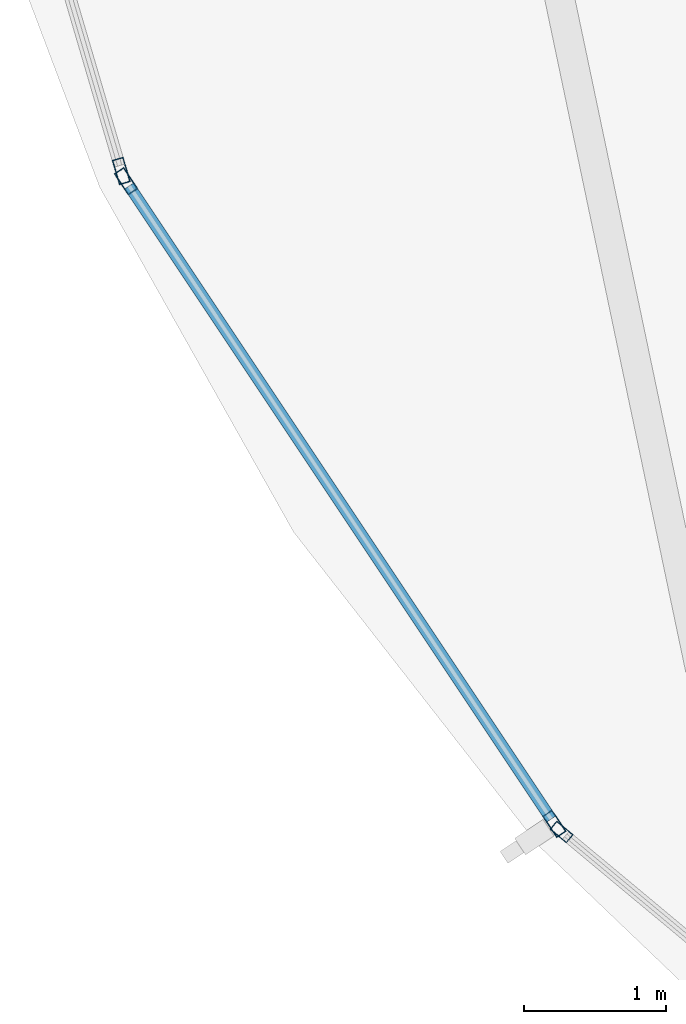
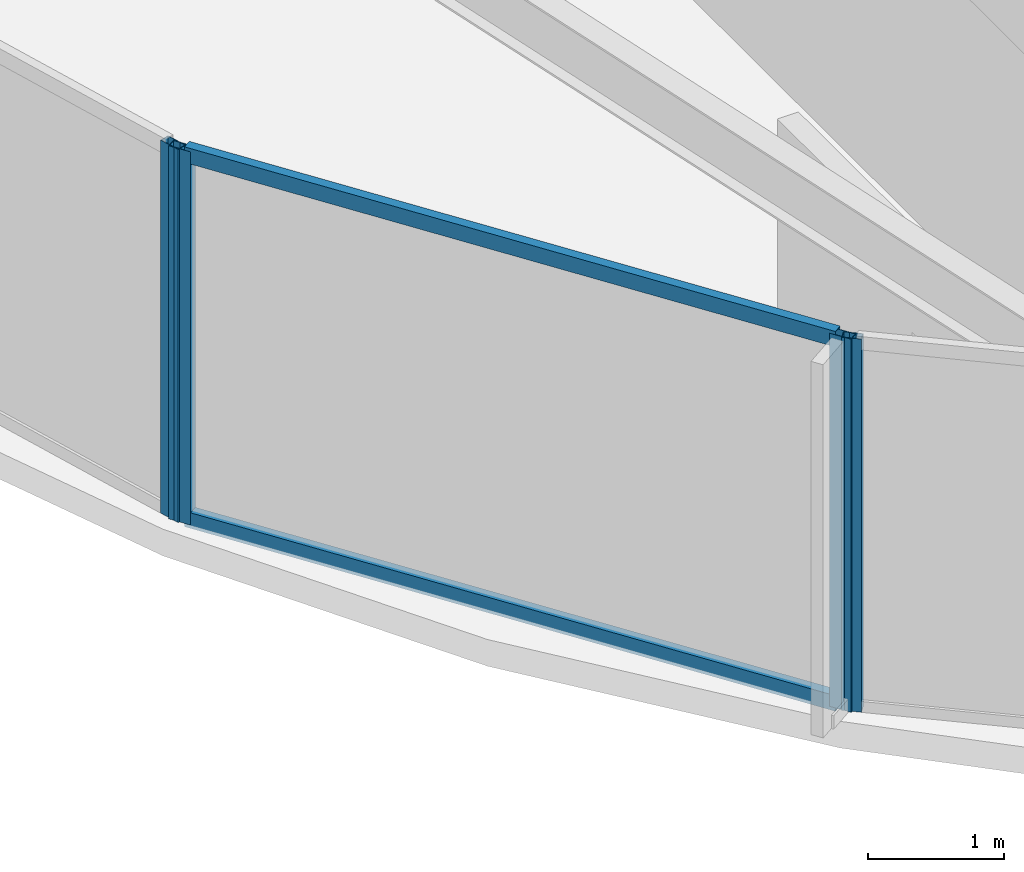
# One storey, part 3 of 31: 6 members, 3 elements without a shape of their own.
"""IFC4 building model written with IfcOpenShell, lengths in metres."""

from ifc_helpers import new_model, si_unit, direction, frame, origin, origin_2d, place, context, subcontext, project, spatial, hollow_rectangle, extrude, material, layer, layer_set, material_profile, profile_set, type_object, element, aggregate, save


model = new_model("IFC4")

# Units and contexts
model_context = context("Model", 3, precision=1e-05, world=origin(), true_north=direction((0.0, 1.0)))
body_context = subcontext(model_context, "Body", "Model", "MODEL_VIEW")
ifc_project = project(units=[si_unit("LENGTHUNIT", "METRE"), si_unit("AREAUNIT", "SQUARE_METRE"), si_unit("VOLUMEUNIT", "CUBIC_METRE"), si_unit("PLANEANGLEUNIT", "RADIAN"), si_unit("MASSUNIT", "GRAM", prefix="KILO")], contexts=[model_context])

# Site, building, storey
site_placement = place(None, origin())
site = spatial("IfcSite", under=ifc_project, at=site_placement, CompositionType="ELEMENT")
building_placement = place(site_placement, origin())
building = spatial("IfcBuilding", under=site, at=building_placement, Name="Kazevale Care Tower and Concert Hall", CompositionType="ELEMENT")
storey_placement = place(building_placement, frame((0.0, 0.0, 238.800048828125)))
storey = spatial("IfcBuildingStorey", under=building, at=storey_placement, Name="L63", CompositionType="ELEMENT", Elevation=238.800048828125)

# Curtain wall, members
ifc_material_1 = material(Name="Aluminium 6063-T6 and Low-E Glass", Category="aluminium")
ifc_layer_1 = layer(ifc_material_1, 0.179931640625)
ifc_layer_set_1 = layer_set([ifc_layer_1], Name="Aluminium 6063-T6 and Low-E Glass")
curtain_wall_type_1 = type_object("IfcCurtainWallType", Name="Waist & Upper Residential Curtain Wall CW-4", PredefinedType="NOTDEFINED", material=ifc_layer_set_1)
curtain_wall_1_placement = place(storey_placement, origin())
curtain_wall_1 = element("IfcCurtainWall", 1, at=curtain_wall_1_placement, inside=storey, type_object=curtain_wall_type_1, Name="cw:L63:f11", PredefinedType="NOTDEFINED")
ifc_material_2 = material(Name="Aluminium 6063-T6", Category="aluminium")
ifc_material_profile_1 = material_profile(ifc_material_2, hollow_rectangle(XDim=0.080078125, YDim=0.179931640625, WallThickness=0.0048828125, at=origin_2d()), Name="ALU80x180x5")
ifc_profile_set_1 = profile_set([ifc_material_profile_1], Name="Aluminium 6063-T6")
member_type_1 = type_object("IfcMemberType", Name="CW-4 Mullion ALU80x180x5", PredefinedType="MULLION", material=ifc_profile_set_1)
member_1_placement = place(storey_placement, frame((18.185791015625, 25.26318359375, 0.0), z_axis=(0.0, 0.0, 1.0), x_axis=(-0.832106058512, -0.554616540853, 0.0)))
member_1 = element("IfcMember", 2, at=member_1_placement, type_object=member_type_1, Name="CW-4 mullion 1", PredefinedType="MULLION", context=body_context, shape_type="SweptSolid", body=[
    extrude(hollow_rectangle(XDim=0.080078125, YDim=0.179931640625, WallThickness=0.0048828125, at=origin_2d()), origin(), (0.0, 0.0, 1.0), 3.35986328125),
])
member_2_placement = place(storey_placement, frame((15.170166015625, 29.78759765625, 0.0), z_axis=(0.0, 0.0, 1.0), x_axis=(-0.832106058512, -0.554616540853, 0.0)))
member_2 = element("IfcMember", 3, at=member_2_placement, type_object=member_type_1, Name="CW-4 mullion 2", PredefinedType="MULLION", context=body_context, shape_type="SweptSolid", body=[
    extrude(hollow_rectangle(XDim=0.080078125, YDim=0.179931640625, WallThickness=0.0048828125, at=origin_2d()), origin(), (0.0, 0.0, 1.0), 3.35986328125),
])

# Curtain wall, member
curtain_wall_2_placement = place(storey_placement, origin())
curtain_wall_2 = element("IfcCurtainWall", 4, at=curtain_wall_2_placement, inside=storey, type_object=curtain_wall_type_1, Name="cw:L63:f12", PredefinedType="NOTDEFINED")
member_3_placement = place(storey_placement, frame((15.13671875, 29.859375, 0.0), z_axis=(0.0, 0.0, 1.0), x_axis=(-0.959385539982, -0.282098184457, 0.0)))
member_3 = element("IfcMember", 5, at=member_3_placement, type_object=member_type_1, Name="CW-4 mullion 1", PredefinedType="MULLION", context=body_context, shape_type="SweptSolid", body=[
    extrude(hollow_rectangle(XDim=0.080078125, YDim=0.179931640625, WallThickness=0.0048828125, at=origin_2d()), origin(), (0.0, 0.0, 1.0), 3.35986328125),
])
aggregate(curtain_wall_2, [member_3])

# Member
ifc_material_profile_2 = material_profile(ifc_material_2, hollow_rectangle(XDim=0.080078125, YDim=0.139892578125, WallThickness=0.00390625, at=origin_2d()), Name="ALU80x140x4")
ifc_profile_set_2 = profile_set([ifc_material_profile_2], Name="Aluminium 6063-T6")
member_type_2 = type_object("IfcMemberType", Name="CW-4 Transom ALU80x140x4", PredefinedType="USERDEFINED", material=ifc_profile_set_2)
member_4_placement = place(storey_placement, frame((18.16357421875, 25.296630859375, 0.0400390625), z_axis=(-0.554616059735, 0.832106379187, 0.0), x_axis=(-0.832106379187, -0.554616059735, 0.0)))
member_4 = element("IfcMember", 6, at=member_4_placement, type_object=member_type_2, Name="CW-4 transom 1.1", ObjectType="TRANSOM", PredefinedType="USERDEFINED", context=body_context, shape_type="SweptSolid", body=[
    extrude(hollow_rectangle(XDim=0.080078125, YDim=0.139892578125, WallThickness=0.00390625, at=origin_2d()), origin(), (0.0, 0.0, 1.0), 5.357177734375),
])

member_5_placement = place(storey_placement, frame((18.16357421875, 25.296630859375, 3.320068359375), z_axis=(-0.554616059735, 0.832106379187, 0.0), x_axis=(-0.832106379187, -0.554616059735, 0.0)))
member_5 = element("IfcMember", 7, at=member_5_placement, type_object=member_type_2, Name="CW-4 transom 1.2", ObjectType="TRANSOM", PredefinedType="USERDEFINED", context=body_context, shape_type="SweptSolid", body=[
    extrude(hollow_rectangle(XDim=0.080078125, YDim=0.139892578125, WallThickness=0.00390625, at=origin_2d()), origin(), (0.0, 0.0, 1.0), 5.357177734375),
])

aggregate(curtain_wall_1, [member_1, member_2, member_4, member_5])

# Curtain wall, member
ifc_layer_2 = layer(ifc_material_1, 0.179931640625)
ifc_layer_set_2 = layer_set([ifc_layer_2], Name="Aluminium 6063-T6 and Low-E Glass")
curtain_wall_type_2 = type_object("IfcCurtainWallType", Name="Sheltered Concave Balcony Curtain Wall CW-5", PredefinedType="NOTDEFINED", material=ifc_layer_set_2)
curtain_wall_3_placement = place(storey_placement, origin())
curtain_wall_3 = element("IfcCurtainWall", 8, at=curtain_wall_3_placement, inside=storey, type_object=curtain_wall_type_2, Name="cw:L63:f10", PredefinedType="NOTDEFINED")
ifc_material_profile_3 = material_profile(ifc_material_2, hollow_rectangle(XDim=0.074951171875, YDim=0.14990234375, WallThickness=0.00390625, at=origin_2d()), Name="ALU75x150x4")
ifc_profile_set_3 = profile_set([ifc_material_profile_3], Name="Aluminium 6063-T6")
member_type_3 = type_object("IfcMemberType", Name="CW-5 Mullion ALU75x150x4", PredefinedType="MULLION", material=ifc_profile_set_3)
member_6_placement = place(storey_placement, frame((18.23681640625, 25.2060546875, 0.0), z_axis=(0.0, 0.0, 1.0), x_axis=(-0.639961217204, -0.768407210062, 0.0)))
member_6 = element("IfcMember", 9, at=member_6_placement, type_object=member_type_3, Name="CW-5 mullion 2", PredefinedType="MULLION", context=body_context, shape_type="SweptSolid", body=[
    extrude(hollow_rectangle(XDim=0.074951171875, YDim=0.14990234375, WallThickness=0.00390625, at=origin_2d()), origin(), (0.0, 0.0, 1.0), 3.35986328125),
])
aggregate(curtain_wall_3, [member_6])

save(model, "model.ifc")
